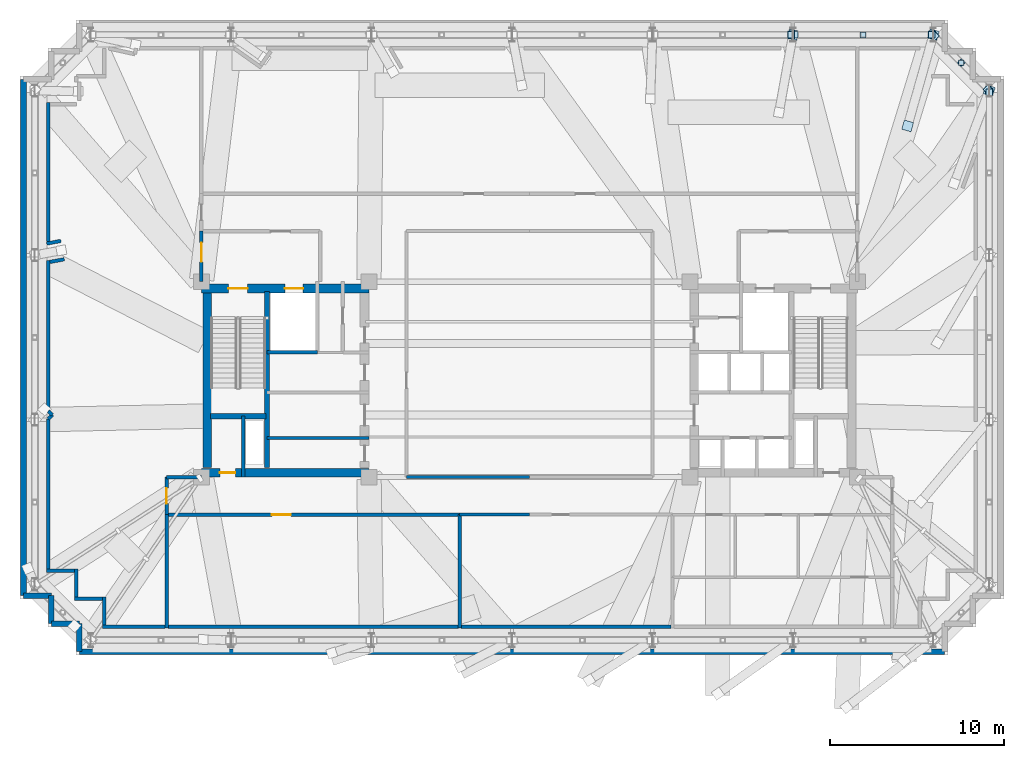
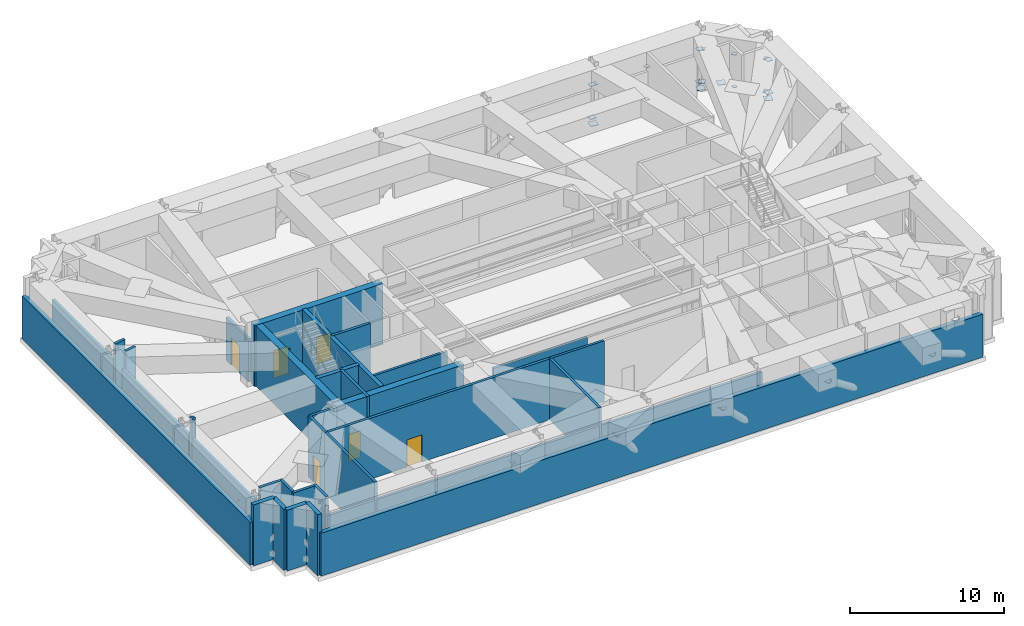
# One storey, part 13 of 18: 36 walls, 19 plates, 6 doors, 6 openings.
"""IFC4 building model written with IfcOpenShell, lengths in metres."""

from ifc_helpers import new_model, si_unit, direction, frame, frame_2d, origin, origin_2d, place, context, subcontext, project, spatial, rectangle, extrude, material, layer, layer_set, type_object, element, fill, save


model = new_model("IFC4")

# Units and contexts
model_context = context("Model", 3, precision=1e-05, world=origin(), true_north=direction((0.0, 1.0)))
body_context = subcontext(model_context, "Body", "Model", "MODEL_VIEW")
ifc_project = project(units=[si_unit("LENGTHUNIT", "METRE"), si_unit("AREAUNIT", "SQUARE_METRE"), si_unit("VOLUMEUNIT", "CUBIC_METRE"), si_unit("PLANEANGLEUNIT", "RADIAN"), si_unit("MASSUNIT", "GRAM", prefix="KILO")], contexts=[model_context])

# Site, building, storey
site_placement = place(None, origin())
site = spatial("IfcSite", under=ifc_project, at=site_placement, CompositionType="ELEMENT")
building_placement = place(site_placement, origin())
building = spatial("IfcBuilding", under=site, at=building_placement, Name="Qobustan Lattice House", CompositionType="ELEMENT")
storey_placement = place(building_placement, frame((0.0, 0.0, 174.550048828125)))
storey = spatial("IfcBuildingStorey", under=building, at=storey_placement, Name="L49", CompositionType="ELEMENT", Elevation=174.550048828125)

# Plates
ifc_material_1 = material(Name="Steel S355", Category="steel")
ifc_layer_1 = layer(ifc_material_1, 0.030029296875)
ifc_layer_set_1 = layer_set([ifc_layer_1], Name="Steel S355")
plate_type = type_object("IfcPlateType", Name="PLT-CAP-25", PredefinedType="SHEET", material=ifc_layer_set_1)
plate_1_placement = place(storey_placement, frame((26.35009765625, 16.455078125, 0.53515625), z_axis=(0.0, 0.0, 1.0), x_axis=(0.0, 1.0, 0.0)))
element("IfcPlate", 1, at=plate_1_placement, inside=storey, type_object=plate_type, Name="L49 TT3 belt truss bottom chord E3-E4 end cap plate 2", PredefinedType="SHEET", context=body_context, shape_type="SweptSolid", body=[
    extrude(rectangle(XDim=0.43994140625, YDim=0.43994140625, at=origin_2d()), origin(), (0.0, 0.0, 1.0), 0.030029296875),
])
plate_2_placement = place(storey_placement, frame((26.35009765625, 16.455078125, 3.125), z_axis=(0.0, 0.0, 1.0), x_axis=(0.0, 1.0, 0.0)))
element("IfcPlate", 2, at=plate_2_placement, inside=storey, type_object=plate_type, Name="L49 TT3 belt truss top chord E3-E4 end cap plate 2", PredefinedType="SHEET", context=body_context, shape_type="SweptSolid", body=[
    extrude(rectangle(XDim=0.389892578125, YDim=0.389892578125, at=origin_2d()), origin(), (0.0, 0.0, 1.0), 0.030029296875),
])
for number, where, z_axis, x_axis, name in (
    (3, (26.28271484375, 16.6171875, 0.53515625), (0.0, 0.0, 1.0), (-0.707106781187, 0.707106781187, 0.0), "L49 TT3 belt truss bottom chord E4-N1 end cap plate 1"),
    (4, (23.21728515625, 19.682861328125, 0.53515625), (0.0, 0.0, 1.0), (-0.707106781187, 0.707106781187, 0.0), "L49 TT3 belt truss bottom chord E4-N1 end cap plate 2"),
):
    element("IfcPlate", number, at=place(storey_placement, frame(where, z_axis=z_axis, x_axis=x_axis)), inside=storey, type_object=plate_type, Name=name, PredefinedType="SHEET", context=body_context, shape_type="SweptSolid", body=[
        extrude(rectangle(XDim=0.43994140625, YDim=0.43994140625, at=origin_2d()), origin(), (0.0, 0.0, 1.0), 0.030029296875),
    ])
for number, where, z_axis, x_axis, name in (
    (5, (26.28271484375, 16.6171875, 3.125), (0.0, 0.0, 1.0), (-0.707106781187, 0.707106781187, 0.0), "L49 TT3 belt truss top chord E4-N1 end cap plate 1"),
    (6, (23.21728515625, 19.682861328125, 3.125), (0.0, 0.0, 1.0), (-0.707106781187, 0.707106781187, 0.0), "L49 TT3 belt truss top chord E4-N1 end cap plate 2"),
):
    element("IfcPlate", number, at=place(storey_placement, frame(where, z_axis=z_axis, x_axis=x_axis)), inside=storey, type_object=plate_type, Name=name, PredefinedType="SHEET", context=body_context, shape_type="SweptSolid", body=[
        extrude(rectangle(XDim=0.389892578125, YDim=0.389892578125, at=origin_2d()), origin(), (0.0, 0.0, 1.0), 0.030029296875),
    ])
plate_3_placement = place(storey_placement, frame((24.747802734375, 18.15234375, 3.12890625), z_axis=(0.0, 0.0, 1.0), x_axis=(-0.707106781187, 0.707106781187, 0.0)))
element("IfcPlate", 7, at=plate_3_placement, inside=storey, type_object=plate_type, Name="L49 TT3 belt truss web diagonal E4-N1 A end cap plate 2", PredefinedType="SHEET", context=body_context, shape_type="SweptSolid", body=[
    extrude(rectangle(XDim=0.340087890625, YDim=0.340087890625, at=origin_2d()), origin(), (0.0, 0.0, 1.0), 0.030029296875),
])
plate_4_placement = place(storey_placement, frame((24.75, 18.14990234375, 0.52978515625), z_axis=(0.0, 0.0, 1.0), x_axis=(1.0, 0.0, 0.0)))
element("IfcPlate", 8, at=plate_4_placement, inside=storey, type_object=plate_type, Name="L49 TT3 belt truss vertical post E4-N1 end cap plate 1", PredefinedType="SHEET", context=body_context, shape_type="SweptSolid", body=[
    extrude(rectangle(XDim=0.2900390625, YDim=0.2900390625, at=origin_2d()), origin(), (0.0, 0.0, 1.0), 0.030029296875),
])
plate_5_placement = place(storey_placement, frame((23.054931640625, 19.75, 0.53515625), z_axis=(0.0, 0.0, 1.0), x_axis=(-1.0, 0.0, 0.0)))
element("IfcPlate", 9, at=plate_5_placement, inside=storey, type_object=plate_type, Name="L49 TT3 belt truss bottom chord N1-N2 end cap plate 1", PredefinedType="SHEET", context=body_context, shape_type="SweptSolid", body=[
    extrude(rectangle(XDim=0.43994140625, YDim=0.43994140625, at=origin_2d()), origin(), (0.0, 0.0, 1.0), 0.030029296875),
])
for number, where, z_axis, x_axis, name in (
    (10, (23.054931640625, 19.75, 3.125), (0.0, 0.0, 1.0), (-1.0, 0.0, 0.0), "L49 TT3 belt truss top chord N1-N2 end cap plate 1"),
    (11, (15.195068359375, 19.75, 3.125), (0.0, 0.0, 1.0), (-1.0, 0.0, 0.0), "L49 TT3 belt truss top chord N1-N2 end cap plate 2"),
):
    element("IfcPlate", number, at=place(storey_placement, frame(where, z_axis=z_axis, x_axis=x_axis)), inside=storey, type_object=plate_type, Name=name, PredefinedType="SHEET", context=body_context, shape_type="SweptSolid", body=[
        extrude(rectangle(XDim=0.389892578125, YDim=0.389892578125, at=origin_2d()), origin(), (0.0, 0.0, 1.0), 0.030029296875),
    ])
plate_6_placement = place(storey_placement, frame((19.120849609375, 19.75, 3.1279296875), z_axis=(0.0, 0.0, 1.0), x_axis=(-1.0, 0.0, 0.0)))
element("IfcPlate", 12, at=plate_6_placement, inside=storey, type_object=plate_type, Name="L49 TT3 belt truss web diagonal N1-N2 A end cap plate 2", PredefinedType="SHEET", context=body_context, shape_type="SweptSolid", body=[
    extrude(rectangle(XDim=0.340087890625, YDim=0.340087890625, at=origin_2d()), origin(), (0.0, 0.0, 1.0), 0.030029296875),
])
plate_7_placement = place(storey_placement, frame((19.125, 19.75, 0.52978515625), z_axis=(0.0, 0.0, 1.0), x_axis=(1.0, 0.0, 0.0)))
element("IfcPlate", 13, at=plate_7_placement, inside=storey, type_object=plate_type, Name="L49 TT3 belt truss vertical post N1-N2 end cap plate 1", PredefinedType="SHEET", context=body_context, shape_type="SweptSolid", body=[
    extrude(rectangle(XDim=0.2900390625, YDim=0.2900390625, at=origin_2d()), origin(), (0.0, 0.0, 1.0), 0.030029296875),
])
plate_8_placement = place(storey_placement, frame((15.0048828125, 19.75, 0.53515625), z_axis=(0.0, 0.0, 1.0), x_axis=(-1.0, 0.0, 0.0)))
element("IfcPlate", 14, at=plate_8_placement, inside=storey, type_object=plate_type, Name="L49 TT3 belt truss bottom chord N2-N3 end cap plate 1", PredefinedType="SHEET", context=body_context, shape_type="SweptSolid", body=[
    extrude(rectangle(XDim=0.43994140625, YDim=0.43994140625, at=origin_2d()), origin(), (0.0, 0.0, 1.0), 0.030029296875),
])
plate_9_placement = place(storey_placement, frame((15.0048828125, 19.75, 3.125), z_axis=(0.0, 0.0, 1.0), x_axis=(-1.0, 0.0, 0.0)))
element("IfcPlate", 15, at=plate_9_placement, inside=storey, type_object=plate_type, Name="L49 TT3 belt truss top chord N2-N3 end cap plate 1", PredefinedType="SHEET", context=body_context, shape_type="SweptSolid", body=[
    extrude(rectangle(XDim=0.389892578125, YDim=0.389892578125, at=origin_2d()), origin(), (0.0, 0.0, 1.0), 0.030029296875),
])
for number, where, z_axis, x_axis, name in (
    (16, (26.351318359375, 16.5537109375, -0.0029296875), (0.0, 0.0, 1.0), (-0.352364387771, -0.935862884311, 0.0), "L49 TT3 column transfer strut E4 end cap plate 1"),
    (17, (23.151123046875, 19.75390625, -0.0029296875), (0.0, 0.0, 1.0), (-0.271356458768, -0.962478920437, 0.0), "L49 TT3 column transfer strut N1 end cap plate 1"),
    (18, (21.677978515625, 14.52880859375, 4.10791015625), (0.0, 0.0, 1.0), (-0.271356458768, -0.962478920437, 0.0), "L49 TT3 column transfer strut N1 end cap plate 2"),
    (19, (15.1005859375, 19.753662109375, -0.00341796875), (0.0, 0.0, 1.0), (-0.176620929421, -0.984278947906, 0.0), "L49 TT3 column transfer strut N2 end cap plate 1"),
):
    element("IfcPlate", number, at=place(storey_placement, frame(where, z_axis=z_axis, x_axis=x_axis)), inside=storey, type_object=plate_type, Name=name, PredefinedType="SHEET", context=body_context, shape_type="SweptSolid", body=[
        extrude(rectangle(XDim=0.548095703125, YDim=0.548095703125, at=origin_2d()), origin(), (0.0, 0.0, 1.0), 0.030029296875),
    ])

# Wall, openings, doors
ifc_material_2 = material(Name="Concrete C50/60", Category="concrete")
ifc_layer_2 = layer(ifc_material_2, 0.5)
ifc_layer_set_2 = layer_set([ifc_layer_2], Name="Concrete C50/60")
wall_type_1 = type_object("IfcWallType", Name="WAL-CORE-500", PredefinedType="SHEAR", material=ifc_layer_set_2)
wall_1_placement = place(storey_placement, frame((-18.800048828125, 5.2099609375, 0.0), z_axis=(0.0, 0.0, 1.0), x_axis=(1.0, 0.0, 0.0)))
wall_1 = element("IfcWall", 20, at=wall_1_placement, inside=storey, type_object=wall_type_1, Name="L49 split-core shear wall CW-N", PredefinedType="SHEAR", context=body_context, shape_type="SweptSolid", body=[
    extrude(rectangle(XDim=9.60009765625, YDim=0.5, at=frame_2d((4.800048828125, 0.0))), origin(), (0.0, 0.0, 1.0), 4.820068359375),
])
opening_1_placement = place(wall_1_placement, frame((1.550048828125, 0.0, 0.0)))
opening_1 = element("IfcOpeningElement", 21, at=opening_1_placement, cuts=wall_1, Name="Opening SD-01", PredefinedType="OPENING", context=body_context, shape_type="SweptSolid", body=[
    extrude(rectangle(XDim=1.10009765625, YDim=2.14990234375, at=frame_2d((0.550048828125, 1.074951171875))), frame((0.0, 0.260009765625, 0.0), z_axis=(0.0, -1.0, 0.0), x_axis=(1.0, 0.0, 0.0)), (0.0, 0.0, 1.0), 0.52001953125),
])
opening_2_placement = place(wall_1_placement, frame((4.77490234375, 0.0, 0.0)))
opening_2 = element("IfcOpeningElement", 22, at=opening_2_placement, cuts=wall_1, Name="Opening LD-01", PredefinedType="OPENING", context=body_context, shape_type="SweptSolid", body=[
    extrude(rectangle(XDim=1.050048828125, YDim=2.10009765625, at=frame_2d((0.52490234375, 1.050048828125))), frame((0.0, 0.260009765625, 0.0), z_axis=(0.0, -1.0, 0.0), x_axis=(1.0, 0.0, 0.0)), (0.0, 0.0, 1.0), 0.52001953125),
])
ifc_material_3 = material(Name="Persian walnut timber and steel frame door", Category="steel")
door_type_1 = type_object("IfcDoorType", Name="DOR-LIFT-LD-1050x2100", OperationType="NOTDEFINED", PredefinedType="DOOR", material=ifc_material_3)
door_1_placement = place(opening_2_placement, origin())
door_1 = element("IfcDoor", 23, at=door_1_placement, inside=storey, type_object=door_type_1, Name="L49 firefighting lift FF-W landing door", OperationType="DOUBLE_DOOR_SLIDING", OverallHeight=2.10009765625, OverallWidth=1.050048828125, PredefinedType="DOOR", context=body_context, shape_type="SweptSolid", body=[
    extrude(rectangle(XDim=1.050048828125, YDim=2.10009765625, at=frame_2d((0.52490234375, 1.050048828125))), frame((0.0, 0.02490234375, 0.0), z_axis=(0.0, -1.0, 0.0), x_axis=(1.0, 0.0, 0.0)), (0.0, 0.0, 1.0), 0.050048828125),
])
fill(opening_2, door_1)
ifc_material_4 = material(Name="Persian walnut timber and steel frame door", Category="steel")
door_type_2 = type_object("IfcDoorType", Name="DOR-STAIR-FD-1100x2150", OperationType="NOTDEFINED", PredefinedType="DOOR", material=ifc_material_4)
door_2_placement = place(opening_1_placement, origin())
door_2 = element("IfcDoor", 24, at=door_2_placement, inside=storey, type_object=door_type_2, Name="L49 exit stair ST-W1 fire door", OperationType="SINGLE_SWING_RIGHT", OverallHeight=2.14990234375, OverallWidth=1.10009765625, PredefinedType="DOOR", context=body_context, shape_type="SweptSolid", body=[
    extrude(rectangle(XDim=1.10009765625, YDim=2.14990234375, at=frame_2d((0.550048828125, 1.074951171875))), frame((0.0, 0.02490234375, 0.0), z_axis=(0.0, -1.0, 0.0), x_axis=(1.0, 0.0, 0.0)), (0.0, 0.0, 1.0), 0.050048828125),
])
fill(opening_1, door_2)

# Wall, opening, door
wall_2_placement = place(storey_placement, frame((-18.800048828125, -5.35009765625, 0.0), z_axis=(0.0, 0.0, 1.0), x_axis=(1.0, 0.0, 0.0)))
wall_2 = element("IfcWall", 25, at=wall_2_placement, inside=storey, type_object=wall_type_1, Name="L49 split-core shear wall CW-S", PredefinedType="SHEAR", context=body_context, shape_type="SweptSolid", body=[
    extrude(rectangle(XDim=9.60009765625, YDim=0.5, at=frame_2d((4.800048828125, 0.0))), origin(), (0.0, 0.0, 1.0), 4.820068359375),
])
opening_3_placement = place(wall_2_placement, frame((1.050048828125, 0.0, 0.0)))
opening_3 = element("IfcOpeningElement", 26, at=opening_3_placement, cuts=wall_2, Name="Opening RD-01", PredefinedType="OPENING", context=body_context, shape_type="SweptSolid", body=[
    extrude(rectangle(XDim=0.89990234375, YDim=2.10009765625, at=frame_2d((0.449951171875, 1.050048828125))), frame((0.0, 0.260009765625, 0.0), z_axis=(0.0, -1.0, 0.0), x_axis=(1.0, 0.0, 0.0)), (0.0, 0.0, 1.0), 0.52001953125),
])
ifc_material_5 = material(Name="Persian walnut timber and steel frame door", Category="steel")
door_type_3 = type_object("IfcDoorType", Name="DOR-RISER-FD-900x2100", OperationType="NOTDEFINED", PredefinedType="DOOR", material=ifc_material_5)
door_3_placement = place(opening_3_placement, origin())
door_3 = element("IfcDoor", 27, at=door_3_placement, inside=storey, type_object=door_type_3, Name="L49 core service riser access door W", OperationType="SINGLE_SWING_RIGHT", OverallHeight=2.10009765625, OverallWidth=0.89990234375, PredefinedType="DOOR", context=body_context, shape_type="SweptSolid", body=[
    extrude(rectangle(XDim=0.89990234375, YDim=2.10009765625, at=frame_2d((0.449951171875, 1.050048828125))), frame((0.0, 0.02490234375, 0.0), z_axis=(0.0, -1.0, 0.0), x_axis=(1.0, 0.0, 0.0)), (0.0, 0.0, 1.0), 0.050048828125),
])
fill(opening_3, door_3)

# Walls
wall_3_placement = place(storey_placement, frame((-18.4599609375, -5.050048828125, 0.0), z_axis=(0.0, 0.0, 1.0), x_axis=(0.0, 1.0, 0.0)))
element("IfcWall", 28, at=wall_3_placement, inside=storey, type_object=wall_type_1, Name="L49 split-core shear wall CW-W", PredefinedType="SHEAR", context=body_context, shape_type="SweptSolid", body=[
    extrude(rectangle(XDim=10.10009765625, YDim=0.5, at=frame_2d((5.050048828125, 0.0))), origin(), (0.0, 0.0, 1.0), 4.820068359375),
])
ifc_material_6 = material(Name="Concrete C50/60", Category="concrete")
ifc_layer_3 = layer(ifc_material_6, 0.280029296875)
ifc_layer_set_3 = layer_set([ifc_layer_3], Name="Concrete C50/60")
wall_type_2 = type_object("IfcWallType", Name="WAL-CORE-SPINE-280", PredefinedType="SHEAR", material=ifc_layer_set_3)
wall_4_placement = place(storey_placement, frame((-15.050048828125, -5.050048828125, 0.0), z_axis=(0.0, 0.0, 1.0), x_axis=(0.0, 1.0, 0.0)))
element("IfcWall", 29, at=wall_4_placement, inside=storey, type_object=wall_type_2, Name="L49 split-core shear wall CW-M", PredefinedType="SHEAR", context=body_context, shape_type="SweptSolid", body=[
    extrude(rectangle(XDim=10.10009765625, YDim=0.300048828125, at=frame_2d((5.050048828125, 0.0))), origin(), (0.0, 0.0, 1.0), 4.820068359375),
])
wall_5_placement = place(storey_placement, frame((-18.280029296875, -2.110107421875, 0.0), z_axis=(0.0, 0.0, 1.0), x_axis=(1.0, 0.0, 0.0)))
element("IfcWall", 30, at=wall_5_placement, inside=storey, type_object=wall_type_2, Name="L49 split-core shear wall CW-ST", PredefinedType="SHEAR", context=body_context, shape_type="SweptSolid", body=[
    extrude(rectangle(XDim=3.179931640625, YDim=0.300048828125, at=frame_2d((1.58984375, 0.0))), origin(), (0.0, 0.0, 1.0), 4.820068359375),
])
ifc_material_7 = material(Name="Precast concrete C40/50", Category="concrete")
ifc_layer_4 = layer(ifc_material_7, 0.320068359375)
ifc_layer_set_4 = layer_set([ifc_layer_4], Name="Precast concrete C40/50")
wall_type_3 = type_object("IfcWallType", Name="WAL-EXT-STONE-320", PredefinedType="SOLIDWALL", material=ifc_layer_set_4)
wall_6_placement = place(storey_placement, frame((-25.800048828125, -15.60009765625, 0.0), z_axis=(0.0, 0.0, 1.0), x_axis=(0.0, 1.0, 0.0)))
element("IfcWall", 31, at=wall_6_placement, inside=storey, type_object=wall_type_3, Name="L49 exterior limestone-clad wall 1", PredefinedType="SOLIDWALL", context=body_context, shape_type="SweptSolid", body=[
    extrude(rectangle(XDim=1.60009765625, YDim=0.320068359375, at=frame_2d((0.800048828125, 0.0))), origin(), (0.0, 0.0, 1.0), 4.820068359375),
])
wall_7_placement = place(storey_placement, frame((-25.800048828125, -14.0, 0.0), z_axis=(0.0, 0.0, 1.0), x_axis=(-1.0, 0.0, 0.0)))
element("IfcWall", 32, at=wall_7_placement, inside=storey, type_object=wall_type_3, Name="L49 exterior limestone-clad wall 2", PredefinedType="SOLIDWALL", context=body_context, shape_type="SweptSolid", body=[
    extrude(rectangle(XDim=1.599853515625, YDim=0.320068359375, at=frame_2d((0.7998046875, 0.0))), origin(), (0.0, 0.0, 1.0), 4.820068359375),
])
for number, where, z_axis, x_axis, name in (
    (33, (-27.39990234375, -14.0, 0.0), (0.0, 0.0, 1.0), (0.0, 1.0, 0.0), "L49 exterior limestone-clad wall 3"),
    (34, (-27.39990234375, -12.39990234375, 0.0), (0.0, 0.0, 1.0), (-1.0, 0.0, 0.0), "L49 exterior limestone-clad wall 4"),
):
    element("IfcWall", number, at=place(storey_placement, frame(where, z_axis=z_axis, x_axis=x_axis)), inside=storey, type_object=wall_type_3, Name=name, PredefinedType="SOLIDWALL", context=body_context, shape_type="SweptSolid", body=[
        extrude(rectangle(XDim=1.60009765625, YDim=0.320068359375, at=frame_2d((0.800048828125, 0.0))), origin(), (0.0, 0.0, 1.0), 4.820068359375),
    ])
wall_8_placement = place(storey_placement, frame((-29.0, -12.39990234375, 0.0), z_axis=(0.0, 0.0, 1.0), x_axis=(0.0, 1.0, 0.0)))
element("IfcWall", 35, at=wall_8_placement, inside=storey, type_object=wall_type_3, Name="L49 exterior limestone-clad wall 5", PredefinedType="SOLIDWALL", context=body_context, shape_type="SweptSolid", body=[
    extrude(rectangle(XDim=29.599853515625, YDim=0.320068359375, at=frame_2d((14.7998046875, 0.0))), origin(), (0.0, 0.0, 1.0), 3.405029296875),
])
wall_9_placement = place(storey_placement, frame((23.800048828125, -15.60009765625, 0.0), z_axis=(0.0, 0.0, 1.0), x_axis=(-1.0, 0.0, 0.0)))
element("IfcWall", 36, at=wall_9_placement, inside=storey, type_object=wall_type_3, Name="L49 exterior limestone-clad wall 20", PredefinedType="SOLIDWALL", context=body_context, shape_type="SweptSolid", body=[
    extrude(rectangle(XDim=49.60009765625, YDim=0.320068359375, at=frame_2d((24.800048828125, 0.0))), origin(), (0.0, 0.0, 1.0), 3.405029296875),
])
ifc_material_8 = material(Name="Gypsum fireboard acoustic partition", Category="gypsum")
ifc_layer_5 = layer(ifc_material_8, 0.179931640625)
ifc_layer_set_5 = layer_set([ifc_layer_5], Name="Gypsum fireboard acoustic partition")
wall_type_4 = type_object("IfcWallType", Name="WAL-FIRE-180", PredefinedType="PARTITIONING", material=ifc_layer_set_5)
wall_10_placement = place(storey_placement, frame((-15.050048828125, -3.35009765625, 0.0), z_axis=(0.0, 0.0, 1.0), x_axis=(1.0, 0.0, 0.0)))
element("IfcWall", 37, at=wall_10_placement, inside=storey, type_object=wall_type_4, Name="L49 interior partition 10", PredefinedType="PARTITIONING", context=body_context, shape_type="SweptSolid", body=[
    extrude(rectangle(XDim=5.85009765625, YDim=0.179931640625, at=frame_2d((2.925048828125, 0.0))), origin(), (0.0, 0.0, 1.0), 4.534912109375),
])
wall_11_placement = place(storey_placement, frame((0.0, -7.75, 0.0), z_axis=(0.0, 0.0, 1.0), x_axis=(-1.0, 0.0, 0.0)))
element("IfcWall", 38, at=wall_11_placement, inside=storey, type_object=wall_type_4, Name="L49 interior partition 43", PredefinedType="PARTITIONING", context=body_context, shape_type="SweptSolid", body=[
    extrude(rectangle(XDim=4.0, YDim=0.179931640625, at=frame_2d((2.0, 0.0))), origin(), (0.0, 0.0, 1.0), 4.820068359375),
])
wall_12_placement = place(storey_placement, frame((-7.050048828125, -5.60009765625, 0.0), z_axis=(0.0, 0.0, 1.0), x_axis=(1.0, 0.0, 0.0)))
element("IfcWall", 39, at=wall_12_placement, inside=storey, type_object=wall_type_4, Name="L49 interior partition 44", PredefinedType="PARTITIONING", context=body_context, shape_type="SweptSolid", body=[
    extrude(rectangle(XDim=7.050048828125, YDim=0.179931640625, at=frame_2d((3.52490234375, 0.0))), origin(), (0.0, 0.0, 1.0), 3.796875),
])
ifc_material_9 = material(Name="Two-hour gypsum fireboard acoustic partition", Category="gypsum")
ifc_layer_6 = layer(ifc_material_9, 0.199951171875)
ifc_layer_set_6 = layer_set([ifc_layer_6], Name="Two-hour gypsum fireboard acoustic partition")
wall_type_5 = type_object("IfcWallType", Name="WAL-PROT-200", PredefinedType="PARTITIONING", material=ifc_layer_set_6)
wall_13_placement = place(storey_placement, frame((-4.074951171875, -14.175048828125, 0.0), z_axis=(0.0, 0.0, 1.0), x_axis=(-1.0, 0.0, 0.0)))
element("IfcWall", 40, at=wall_13_placement, inside=storey, type_object=wall_type_5, Name="L49 perimeter belt-truss plenum enclosure wall 1", PredefinedType="PARTITIONING", context=body_context, shape_type="SweptSolid", body=[
    extrude(rectangle(XDim=16.650146484375, YDim=0.199951171875, at=frame_2d((8.3251953125, 0.0))), origin(), (0.0, 0.0, 1.0), 3.405029296875),
])
wall_14_placement = place(storey_placement, frame((-26.856201171875, 7.937255859375, 0.0), z_axis=(0.0, 0.0, 1.0), x_axis=(-0.983324838778, -0.181857805558, 0.0)))
element("IfcWall", 41, at=wall_14_placement, inside=storey, type_object=wall_type_5, Name="L49 perimeter belt-truss plenum enclosure wall 2", PredefinedType="PARTITIONING", context=body_context, shape_type="SweptSolid", body=[
    extrude(rectangle(XDim=0.8310546875, YDim=0.199951171875, at=frame_2d((0.41552734375, 0.0))), origin(), (0.0, 0.0, 1.0), 4.820068359375),
])
wall_15_placement = place(storey_placement, frame((-27.574951171875, 7.892333984375, 0.0), z_axis=(0.0, 0.0, 1.0), x_axis=(0.0, 1.0, 0.0)))
element("IfcWall", 42, at=wall_15_placement, inside=storey, type_object=wall_type_5, Name="L49 perimeter belt-truss plenum enclosure wall 3", PredefinedType="PARTITIONING", context=body_context, shape_type="SweptSolid", body=[
    extrude(rectangle(XDim=7.982666015625, YDim=0.199951171875, at=frame_2d((3.9912109375, 0.0))), origin(), (0.0, 0.0, 1.0), 3.405029296875),
])
wall_16_placement = place(storey_placement, frame((-20.875, -14.175048828125, 0.0), z_axis=(0.0, 0.0, 1.0), x_axis=(-1.0, 0.0, 0.0)))
element("IfcWall", 43, at=wall_16_placement, inside=storey, type_object=wall_type_5, Name="L49 perimeter belt-truss plenum enclosure wall 12", PredefinedType="PARTITIONING", context=body_context, shape_type="SweptSolid", body=[
    extrude(rectangle(XDim=3.60009765625, YDim=0.199951171875, at=frame_2d((1.800048828125, 0.0))), origin(), (0.0, 0.0, 1.0), 3.405029296875),
])
wall_17_placement = place(storey_placement, frame((-24.375, -14.0869140625, 0.0), z_axis=(0.0, 0.0, 1.0), x_axis=(0.0, 1.0, 0.0)))
element("IfcWall", 44, at=wall_17_placement, inside=storey, type_object=wall_type_5, Name="L49 perimeter belt-truss plenum enclosure wall 13", PredefinedType="PARTITIONING", context=body_context, shape_type="SweptSolid", body=[
    extrude(rectangle(XDim=1.61181640625, YDim=0.199951171875, at=frame_2d((0.805908203125, 0.0))), origin(), (0.0, 0.0, 1.0), 4.820068359375),
])
for number, where, z_axis, x_axis, name in (
    (45, (-24.462890625, -12.574951171875, 0.0), (0.0, 0.0, 1.0), (-1.0, 0.0, 0.0), "L49 perimeter belt-truss plenum enclosure wall 14"),
    (46, (-25.97509765625, -12.487060546875, 0.0), (0.0, 0.0, 1.0), (0.0, 1.0, 0.0), "L49 perimeter belt-truss plenum enclosure wall 15"),
    (47, (-26.06298828125, -10.97509765625, 0.0), (0.0, 0.0, 1.0), (-1.0, 0.0, 0.0), "L49 perimeter belt-truss plenum enclosure wall 16"),
):
    element("IfcWall", number, at=place(storey_placement, frame(where, z_axis=z_axis, x_axis=x_axis)), inside=storey, type_object=wall_type_5, Name=name, PredefinedType="PARTITIONING", context=body_context, shape_type="SweptSolid", body=[
        extrude(rectangle(XDim=1.612060546875, YDim=0.199951171875, at=frame_2d((0.80615234375, 0.0))), origin(), (0.0, 0.0, 1.0), 4.820068359375),
    ])
wall_18_placement = place(storey_placement, frame((-27.574951171875, -10.886962890625, 0.0), z_axis=(0.0, 0.0, 1.0), x_axis=(0.0, 1.0, 0.0)))
element("IfcWall", 48, at=wall_18_placement, inside=storey, type_object=wall_type_5, Name="L49 perimeter belt-truss plenum enclosure wall 17", PredefinedType="PARTITIONING", context=body_context, shape_type="SweptSolid", body=[
    extrude(rectangle(XDim=8.615478515625, YDim=0.199951171875, at=frame_2d((4.3076171875, 0.0))), origin(), (0.0, 0.0, 1.0), 3.405029296875),
])
wall_19_placement = place(storey_placement, frame((-27.574951171875, -2.271484375, 0.0), z_axis=(0.0, 0.0, 1.0), x_axis=(0.682738450296, 0.730662855555, 0.0)))
element("IfcWall", 49, at=wall_19_placement, inside=storey, type_object=wall_type_5, Name="L49 perimeter belt-truss plenum enclosure wall 18", PredefinedType="PARTITIONING", context=body_context, shape_type="SweptSolid", body=[
    extrude(rectangle(XDim=0.3310546875, YDim=0.199951171875, at=frame_2d((0.16552734375, 0.0))), origin(), (0.0, 0.0, 1.0), 4.820068359375),
])
wall_20_placement = place(storey_placement, frame((-27.348876953125, -2.029541015625, 0.0), z_axis=(0.0, 0.0, 1.0), x_axis=(-0.730372952403, 0.683048571038, 0.0)))
element("IfcWall", 50, at=wall_20_placement, inside=storey, type_object=wall_type_5, Name="L49 perimeter belt-truss plenum enclosure wall 19", PredefinedType="PARTITIONING", context=body_context, shape_type="SweptSolid", body=[
    extrude(rectangle(XDim=0.3095703125, YDim=0.199951171875, at=frame_2d((0.15478515625, 0.0))), origin(), (0.0, 0.0, 1.0), 4.820068359375),
])
wall_21_placement = place(storey_placement, frame((-27.574951171875, -1.818115234375, 0.0), z_axis=(0.0, 0.0, 1.0), x_axis=(0.0, 1.0, 0.0)))
element("IfcWall", 51, at=wall_21_placement, inside=storey, type_object=wall_type_5, Name="L49 perimeter belt-truss plenum enclosure wall 20", PredefinedType="PARTITIONING", context=body_context, shape_type="SweptSolid", body=[
    extrude(rectangle(XDim=8.63427734375, YDim=0.199951171875, at=frame_2d((4.317138671875, 0.0))), origin(), (0.0, 0.0, 1.0), 3.405029296875),
])
wall_22_placement = place(storey_placement, frame((-27.488525390625, 6.732177734375, 0.0), z_axis=(0.0, 0.0, 1.0), x_axis=(0.983293553961, 0.182026884657, 0.0)))
element("IfcWall", 52, at=wall_22_placement, inside=storey, type_object=wall_type_5, Name="L49 perimeter belt-truss plenum enclosure wall 21", PredefinedType="PARTITIONING", context=body_context, shape_type="SweptSolid", body=[
    extrude(rectangle(XDim=0.841064453125, YDim=0.199951171875, at=frame_2d((0.42041015625, 0.0))), origin(), (0.0, 0.0, 1.0), 4.820068359375),
])
wall_23_placement = place(storey_placement, frame((8.125, -14.175048828125, 0.0), z_axis=(0.0, 0.0, 1.0), x_axis=(-1.0, 0.0, 0.0)))
element("IfcWall", 53, at=wall_23_placement, inside=storey, type_object=wall_type_5, Name="L49 perimeter belt-truss plenum enclosure wall 22", PredefinedType="PARTITIONING", context=body_context, shape_type="SweptSolid", body=[
    extrude(rectangle(XDim=12.050048828125, YDim=0.199951171875, at=frame_2d((6.02490234375, 0.0))), origin(), (0.0, 0.0, 1.0), 3.405029296875),
])

# Wall, opening, door
wall_24_placement = place(storey_placement, frame((-18.800048828125, 8.5, 0.0), z_axis=(0.0, 0.0, 1.0), x_axis=(0.0, -1.0, 0.0)))
wall_24 = element("IfcWall", 54, at=wall_24_placement, inside=storey, type_object=wall_type_5, Name="L49 interior partition 5", PredefinedType="PARTITIONING", context=body_context, shape_type="SweptSolid", body=[
    extrude(rectangle(XDim=2.89990234375, YDim=0.199951171875, at=frame_2d((1.449951171875, 0.0))), origin(), (0.0, 0.0, 1.0), 3.405029296875),
])
opening_4_placement = place(wall_24_placement, frame((0.659912109375, 0.0, 0.0)))
opening_4 = element("IfcOpeningElement", 55, at=opening_4_placement, cuts=wall_24, Name="Opening SD-01", PredefinedType="OPENING", context=body_context, shape_type="SweptSolid", body=[
    extrude(rectangle(XDim=1.10009765625, YDim=2.14990234375, at=frame_2d((0.550048828125, 1.074951171875))), frame((0.0, 0.10986328125, 0.0), z_axis=(0.0, -1.0, 0.0), x_axis=(1.0, 0.0, 0.0)), (0.0, 0.0, 1.0), 0.219970703125),
])
door_4_placement = place(opening_4_placement, origin())
door_4 = element("IfcDoor", 56, at=door_4_placement, inside=storey, type_object=door_type_2, Name="L49 West firefighting lift lobby to West protected refuge area door", OperationType="SINGLE_SWING_LEFT", OverallHeight=2.14990234375, OverallWidth=1.10009765625, PredefinedType="DOOR", context=body_context, shape_type="SweptSolid", body=[
    extrude(rectangle(XDim=1.10009765625, YDim=2.14990234375, at=frame_2d((0.550048828125, 1.074951171875))), frame((0.0, 0.02490234375, 0.0), z_axis=(0.0, -1.0, 0.0), x_axis=(1.0, 0.0, 0.0)), (0.0, 0.0, 1.0), 0.050048828125),
])
fill(opening_4, door_4)

wall_25_placement = place(storey_placement, frame((-20.800048828125, -7.75, 0.0), z_axis=(0.0, 0.0, 1.0), x_axis=(0.0, 1.0, 0.0)))
wall_25 = element("IfcWall", 57, at=wall_25_placement, inside=storey, type_object=wall_type_5, Name="L49 interior partition 40", PredefinedType="PARTITIONING", context=body_context, shape_type="SweptSolid", body=[
    extrude(rectangle(XDim=2.14990234375, YDim=0.199951171875, at=frame_2d((1.074951171875, 0.0))), origin(), (0.0, 0.0, 1.0), 4.820068359375),
])
opening_5_placement = place(wall_25_placement, frame((0.625, 0.0, 0.0)))
opening_5 = element("IfcOpeningElement", 58, at=opening_5_placement, cuts=wall_25, Name="Opening RD-01", PredefinedType="OPENING", context=body_context, shape_type="SweptSolid", body=[
    extrude(rectangle(XDim=0.89990234375, YDim=2.10009765625, at=frame_2d((0.449951171875, 1.050048828125))), frame((0.0, 0.10986328125, 0.0), z_axis=(0.0, -1.0, 0.0), x_axis=(1.0, 0.0, 0.0)), (0.0, 0.0, 1.0), 0.219970703125),
])
door_5_placement = place(opening_5_placement, origin())
door_5 = element("IfcDoor", 59, at=door_5_placement, inside=storey, type_object=door_type_3, Name="L49 South-west mechanical plant corridor to West protected refuge area door", OperationType="SINGLE_SWING_RIGHT", OverallHeight=2.10009765625, OverallWidth=0.89990234375, PredefinedType="DOOR", context=body_context, shape_type="SweptSolid", body=[
    extrude(rectangle(XDim=0.89990234375, YDim=2.10009765625, at=frame_2d((0.449951171875, 1.050048828125))), frame((0.0, 0.02490234375, 0.0), z_axis=(0.0, -1.0, 0.0), x_axis=(1.0, 0.0, 0.0)), (0.0, 0.0, 1.0), 0.050048828125),
])
fill(opening_5, door_5)

# Wall
wall_26_placement = place(storey_placement, frame((-20.800048828125, -5.60009765625, 0.0), z_axis=(0.0, 0.0, 1.0), x_axis=(1.0, 0.0, 0.0)))
element("IfcWall", 60, at=wall_26_placement, inside=storey, type_object=wall_type_5, Name="L49 interior partition 41", PredefinedType="PARTITIONING", context=body_context, shape_type="SweptSolid", body=[
    extrude(rectangle(XDim=2.0, YDim=0.199951171875, at=frame_2d((1.0, 0.0))), origin(), (0.0, 0.0, 1.0), 4.820068359375),
])

# Wall, opening, door
wall_27_placement = place(storey_placement, frame((-4.0, -7.75, 0.0), z_axis=(0.0, 0.0, 1.0), x_axis=(-1.0, 0.0, 0.0)))
wall_27 = element("IfcWall", 61, at=wall_27_placement, inside=storey, type_object=wall_type_5, Name="L49 interior partition 42", PredefinedType="PARTITIONING", context=body_context, shape_type="SweptSolid", body=[
    extrude(rectangle(XDim=16.800048828125, YDim=0.199951171875, at=frame_2d((8.39990234375, 0.0))), origin(), (0.0, 0.0, 1.0), 4.820068359375),
])
opening_6_placement = place(wall_27_placement, frame((9.66748046875, 0.0, 0.0)))
opening_6 = element("IfcOpeningElement", 62, at=opening_6_placement, cuts=wall_27, Name="Opening SD-01", PredefinedType="OPENING", context=body_context, shape_type="SweptSolid", body=[
    extrude(rectangle(XDim=1.10009765625, YDim=2.14990234375, at=frame_2d((0.550048828125, 1.074951171875))), frame((0.0, 0.10986328125, 0.0), z_axis=(0.0, -1.0, 0.0), x_axis=(1.0, 0.0, 0.0)), (0.0, 0.0, 1.0), 0.219970703125),
])
door_6_placement = place(opening_6_placement, origin())
door_6 = element("IfcDoor", 63, at=door_6_placement, inside=storey, type_object=door_type_2, Name="L49 South-west mechanical plant corridor to South protected refuge area door", OperationType="SINGLE_SWING_LEFT", OverallHeight=2.14990234375, OverallWidth=1.10009765625, PredefinedType="DOOR", context=body_context, shape_type="SweptSolid", body=[
    extrude(rectangle(XDim=1.10009765625, YDim=2.14990234375, at=frame_2d((0.550048828125, 1.074951171875))), frame((0.0, 0.02490234375, 0.0), z_axis=(0.0, -1.0, 0.0), x_axis=(1.0, 0.0, 0.0)), (0.0, 0.0, 1.0), 0.050048828125),
])
fill(opening_6, door_6)

# Walls
for number, where, z_axis, x_axis, name in (
    (64, (-20.800048828125, -7.75, 0.0), (0.0, 0.0, 1.0), (0.0, -1.0, 0.0), "L49 interior partition 55"),
    (65, (-4.0, -7.75, 0.0), (0.0, 0.0, 1.0), (0.0, -1.0, 0.0), "L49 interior partition 59"),
):
    element("IfcWall", number, at=place(storey_placement, frame(where, z_axis=z_axis, x_axis=x_axis)), inside=storey, type_object=wall_type_5, Name=name, PredefinedType="PARTITIONING", context=body_context, shape_type="SweptSolid", body=[
        extrude(rectangle(XDim=6.5, YDim=0.199951171875, at=frame_2d((3.25, 0.0))), origin(), (0.0, 0.0, 1.0), 4.820068359375),
    ])
ifc_material_10 = material(Name="Concrete C40/50", Category="concrete")
ifc_layer_7 = layer(ifc_material_10, 0.199951171875)
ifc_layer_set_7 = layer_set([ifc_layer_7], Name="Concrete C40/50")
wall_type_6 = type_object("IfcWallType", Name="WAL-SHAFT-200", PredefinedType="PARTITIONING", material=ifc_layer_set_7)
wall_28_placement = place(storey_placement, frame((-16.39990234375, -5.60009765625, 0.0), z_axis=(0.0, 0.0, 1.0), x_axis=(0.0, 1.0, 0.0)))
element("IfcWall", 66, at=wall_28_placement, inside=storey, type_object=wall_type_6, Name="L49 interior partition 1", PredefinedType="PARTITIONING", context=body_context, shape_type="SweptSolid", body=[
    extrude(rectangle(XDim=3.489990234375, YDim=0.199951171875, at=frame_2d((1.7451171875, 0.0))), origin(), (0.0, 0.0, 1.0), 4.820068359375),
])
wall_29_placement = place(storey_placement, frame((-15.050048828125, 1.550048828125, 0.0), z_axis=(0.0, 0.0, 1.0), x_axis=(1.0, 0.0, 0.0)))
element("IfcWall", 67, at=wall_29_placement, inside=storey, type_object=wall_type_6, Name="L49 interior partition 67", PredefinedType="PARTITIONING", context=body_context, shape_type="SweptSolid", body=[
    extrude(rectangle(XDim=2.900146484375, YDim=0.199951171875, at=frame_2d((1.4501953125, 0.0))), origin(), (0.0, 0.0, 1.0), 4.820068359375),
])

save(model, "model.ifc")
